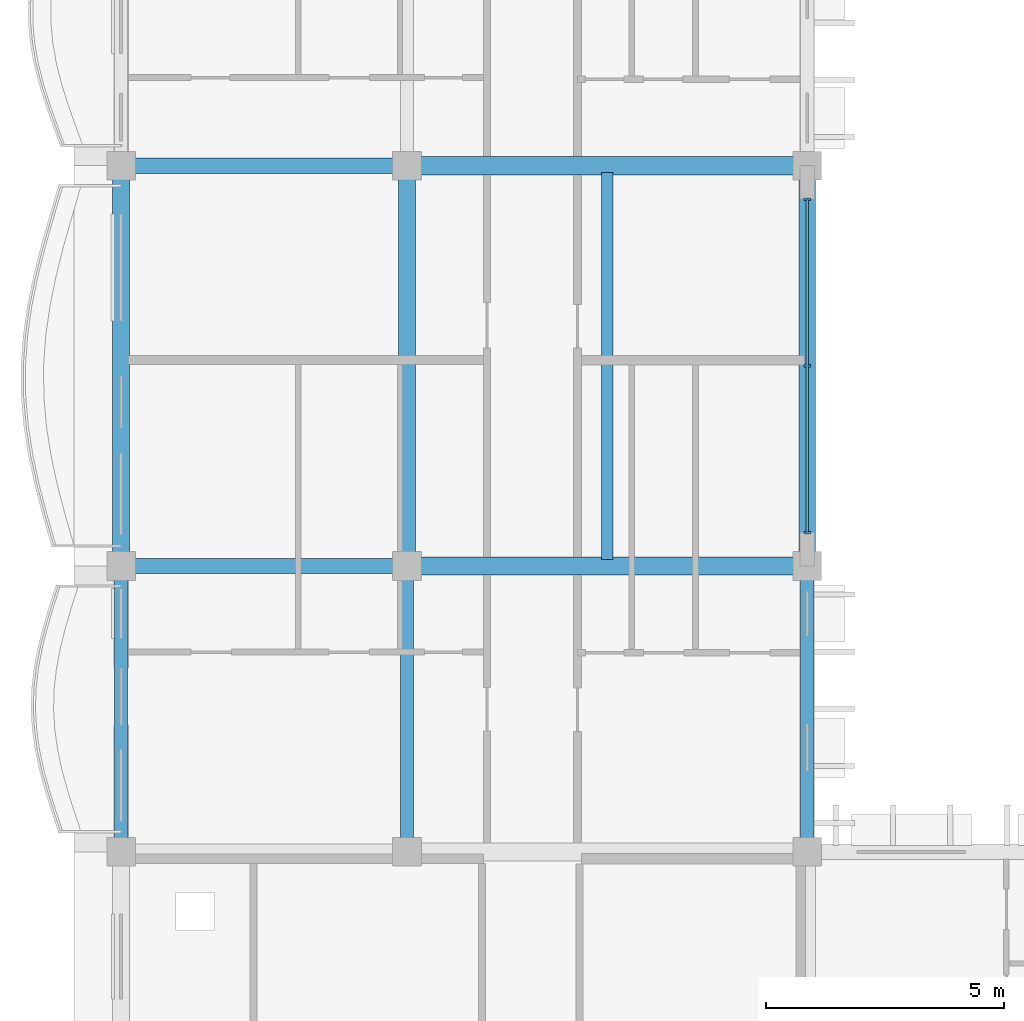
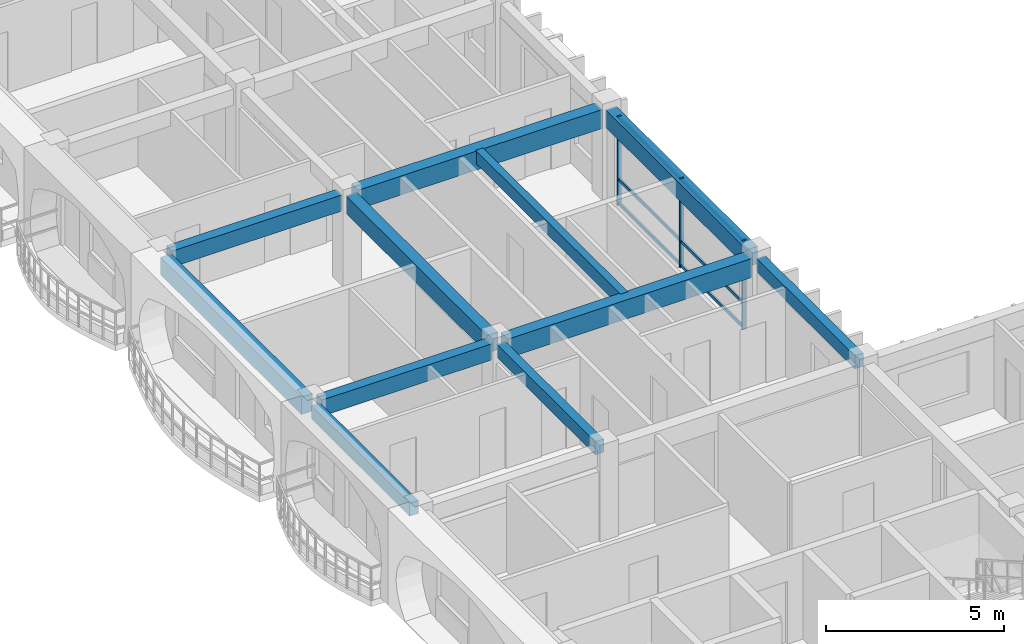
# One storey, part 4 of 76: 11 beams, 6 members, 1 element without a shape of its own.
"""IFC4 building model written with IfcOpenShell, lengths in metres."""

from ifc_helpers import new_model, si_unit, direction, frame, origin, origin_2d, place, context, subcontext, project, spatial, rectangle, extrude, material, material_profile, profile_set, type_object, element, aggregate, save


model = new_model("IFC4")

# Units and contexts
model_context = context("Model", 3, precision=1e-05, world=origin(), true_north=direction((0.0, 1.0)))
body_context = subcontext(model_context, "Body", "Model", "MODEL_VIEW")
ifc_project = project(units=[si_unit("LENGTHUNIT", "METRE"), si_unit("AREAUNIT", "SQUARE_METRE"), si_unit("VOLUMEUNIT", "CUBIC_METRE"), si_unit("PLANEANGLEUNIT", "RADIAN"), si_unit("MASSUNIT", "GRAM", prefix="KILO"), si_unit("THERMODYNAMICTEMPERATUREUNIT", "KELVIN")], contexts=[model_context])

# Site, building, storey
site_placement = place(None, origin())
site = spatial("IfcSite", under=ifc_project, at=site_placement, CompositionType="ELEMENT")
building_placement = place(site_placement, origin())
building = spatial("IfcBuilding", under=site, at=building_placement, Name="Thalorik Housing Commons", CompositionType="ELEMENT")
storey_placement = place(building_placement, frame((0.0, 0.0, 18.0)))
storey = spatial("IfcBuildingStorey", under=building, at=storey_placement, Name="L05", CompositionType="ELEMENT", Elevation=18.0)

# Curtain wall, members
ifc_material_1 = material(Name="Anodised aluminium and solar-control low-E glass", Category="aluminium")
curtain_wall_type = type_object("IfcCurtainWallType", Name="ARC-CW-LOUNGE", PredefinedType="USERDEFINED", material=ifc_material_1)
curtain_wall_placement = place(storey_placement, origin())
curtain_wall = element("IfcCurtainWall", 1, at=curtain_wall_placement, inside=storey, type_object=curtain_wall_type, Name="L05 Curtain Wall CW-RES-L05-C-146", ObjectType="CURTAIN WALL", PredefinedType="USERDEFINED")
ifc_material_2 = material(Name="Anodised aluminium 6063-T6", Category="aluminium")
ifc_material_profile_1 = material_profile(ifc_material_2, rectangle(XDim=0.054931640625, YDim=0.139892578125, at=origin_2d()), Name="ALU MUL 55x140", Category="aluminium")
ifc_profile_set_1 = profile_set([ifc_material_profile_1], Name="Anodised aluminium 6063-T6")
member_type_1 = type_object("IfcMemberType", Name="ARC-CW-MUL-55x140", PredefinedType="MULLION", material=ifc_profile_set_1)
member_1_placement = place(storey_placement, frame((22.800048828125, 29.5, 0.0), z_axis=(0.0, 0.0, 1.0), x_axis=(0.0, 1.0, 0.0)))
member_1 = element("IfcMember", 2, at=member_1_placement, type_object=member_type_1, Name="CW-RES-L05-C-146 Mullion 1", PredefinedType="MULLION", context=body_context, shape_type="SweptSolid", body=[
    extrude(rectangle(XDim=0.054931640625, YDim=0.139892578125, at=origin_2d()), origin(), (0.0, 0.0, 1.0), 3.0400390625),
])
member_2_placement = place(storey_placement, frame((22.800048828125, 33.0, 0.0), z_axis=(0.0, 0.0, 1.0), x_axis=(0.0, 1.0, 0.0)))
member_2 = element("IfcMember", 3, at=member_2_placement, type_object=member_type_1, Name="CW-RES-L05-C-146 Mullion 2", PredefinedType="MULLION", context=body_context, shape_type="SweptSolid", body=[
    extrude(rectangle(XDim=0.054931640625, YDim=0.139892578125, at=origin_2d()), origin(), (0.0, 0.0, 1.0), 3.0400390625),
])
member_3_placement = place(storey_placement, frame((22.800048828125, 36.5, 0.0), z_axis=(0.0, 0.0, 1.0), x_axis=(0.0, 1.0, 0.0)))
member_3 = element("IfcMember", 4, at=member_3_placement, type_object=member_type_1, Name="CW-RES-L05-C-146 Mullion 3", PredefinedType="MULLION", context=body_context, shape_type="SweptSolid", body=[
    extrude(rectangle(XDim=0.054931640625, YDim=0.139892578125, at=origin_2d()), origin(), (0.0, 0.0, 1.0), 3.0400390625),
])
ifc_material_profile_2 = material_profile(ifc_material_2, rectangle(XDim=0.054931640625, YDim=0.10498046875, at=origin_2d()), Name="ALU TRN 55x105", Category="aluminium")
ifc_profile_set_2 = profile_set([ifc_material_profile_2], Name="Anodised aluminium 6063-T6")
member_type_2 = type_object("IfcMemberType", Name="ARC-CW-TRN-55x105", PredefinedType="USERDEFINED", material=ifc_profile_set_2)
member_4_placement = place(storey_placement, frame((22.800048828125, 29.5, 0.054931640625), z_axis=(0.0, 1.0, 0.0), x_axis=(-1.0, 0.0, 0.0)))
member_4 = element("IfcMember", 5, at=member_4_placement, type_object=member_type_2, Name="CW-RES-L05-C-146 Transom 1", ObjectType="TRANSOM", PredefinedType="USERDEFINED", context=body_context, shape_type="SweptSolid", body=[
    extrude(rectangle(XDim=0.054931640625, YDim=0.10498046875, at=origin_2d()), origin(), (0.0, 0.0, 1.0), 7.0),
])
member_5_placement = place(storey_placement, frame((22.800048828125, 29.5, 0.8798828125), z_axis=(0.0, 1.0, 0.0), x_axis=(-1.0, 0.0, 0.0)))
member_5 = element("IfcMember", 6, at=member_5_placement, type_object=member_type_2, Name="CW-RES-L05-C-146 Transom 2", ObjectType="TRANSOM", PredefinedType="USERDEFINED", context=body_context, shape_type="SweptSolid", body=[
    extrude(rectangle(XDim=0.054931640625, YDim=0.10498046875, at=origin_2d()), origin(), (0.0, 0.0, 1.0), 7.0),
])
member_6_placement = place(storey_placement, frame((22.800048828125, 29.5, 2.985107421875), z_axis=(0.0, 1.0, 0.0), x_axis=(-1.0, 0.0, 0.0)))
member_6 = element("IfcMember", 7, at=member_6_placement, type_object=member_type_2, Name="CW-RES-L05-C-146 Transom 3", ObjectType="TRANSOM", PredefinedType="USERDEFINED", context=body_context, shape_type="SweptSolid", body=[
    extrude(rectangle(XDim=0.054931640625, YDim=0.10498046875, at=origin_2d()), origin(), (0.0, 0.0, 1.0), 7.0),
])
aggregate(curtain_wall, [member_1, member_2, member_3, member_4, member_5, member_6])

# Beams
ifc_material_3 = material(Name="Precast concrete C40/50", Category="concrete")
ifc_material_profile_3 = material_profile(ifc_material_3, rectangle(XDim=0.280029296875, YDim=0.449951171875, at=origin_2d()), Name="PC 280x450", Category="concrete")
ifc_profile_set_3 = profile_set([ifc_material_profile_3], Name="Precast concrete C40/50")
beam_type_1 = type_object("IfcBeamType", Name="STR-BM-PC280x450", PredefinedType="BEAM", material=ifc_profile_set_3)
for number, where, z_axis, x_axis, name in (
    (8, (8.39990234375, 23.050048828125, 2.81494140625), (0.0, 1.0, 0.0), (-1.0, 0.0, 0.0), "L05 Beam B-450"),
    (9, (14.39990234375, 23.050048828125, 2.81494140625), (0.0, 1.0, 0.0), (-1.0, 0.0, 0.0), "L05 Beam B-450"),
    (10, (22.800048828125, 23.050048828125, 2.81494140625), (0.0, 1.0, 0.0), (-1.0, 0.0, 0.0), "L05 Beam B-450"),
):
    element("IfcBeam", number, at=place(storey_placement, frame(where, z_axis=z_axis, x_axis=x_axis)), inside=storey, type_object=beam_type_1, Name=name, PredefinedType="BEAM", context=body_context, shape_type="SweptSolid", body=[
        extrude(rectangle(XDim=0.280029296875, YDim=0.449951171875, at=origin_2d()), origin(), (0.0, 0.0, 1.0), 5.5),
    ])
ifc_material_profile_4 = material_profile(ifc_material_3, rectangle(XDim=0.320068359375, YDim=0.550048828125, at=origin_2d()), Name="PC 320x550", Category="concrete")
ifc_profile_set_4 = profile_set([ifc_material_profile_4], Name="Precast concrete C40/50")
beam_type_2 = type_object("IfcBeamType", Name="STR-BM-PC320x550", PredefinedType="BEAM", material=ifc_profile_set_4)
for number, where, z_axis, x_axis, name in (
    (11, (8.64990234375, 28.800048828125, 2.764892578125), (1.0, 0.0, 0.0), (0.0, 1.0, 0.0), "L05 Beam B-550"),
    (12, (8.64990234375, 37.199951171875, 2.764892578125), (1.0, 0.0, 0.0), (0.0, 1.0, 0.0), "L05 Beam B-550"),
):
    element("IfcBeam", number, at=place(storey_placement, frame(where, z_axis=z_axis, x_axis=x_axis)), inside=storey, type_object=beam_type_2, Name=name, PredefinedType="BEAM", context=body_context, shape_type="SweptSolid", body=[
        extrude(rectangle(XDim=0.320068359375, YDim=0.550048828125, at=origin_2d()), origin(), (0.0, 0.0, 1.0), 5.5),
    ])
ifc_material_profile_5 = material_profile(ifc_material_3, rectangle(XDim=0.35009765625, YDim=0.60009765625, at=origin_2d()), Name="PC 350x600", Category="concrete")
ifc_profile_set_5 = profile_set([ifc_material_profile_5], Name="Precast concrete C40/50")
beam_type_3 = type_object("IfcBeamType", Name="STR-BM-PC350x600", PredefinedType="BEAM", material=ifc_profile_set_5)
for number, where, z_axis, x_axis, name in (
    (13, (8.39990234375, 29.050048828125, 2.739990234375), (0.0, 1.0, 0.0), (-1.0, 0.0, 0.0), "L05 Beam B-600"),
    (14, (14.39990234375, 29.050048828125, 2.739990234375), (0.0, 1.0, 0.0), (-1.0, 0.0, 0.0), "L05 Beam B-600"),
    (15, (22.800048828125, 29.050048828125, 2.739990234375), (0.0, 1.0, 0.0), (-1.0, 0.0, 0.0), "L05 Beam B-600"),
):
    element("IfcBeam", number, at=place(storey_placement, frame(where, z_axis=z_axis, x_axis=x_axis)), inside=storey, type_object=beam_type_3, Name=name, PredefinedType="BEAM", context=body_context, shape_type="SweptSolid", body=[
        extrude(rectangle(XDim=0.35009765625, YDim=0.60009765625, at=origin_2d()), origin(), (0.0, 0.0, 1.0), 7.89990234375),
    ])
ifc_material_profile_6 = material_profile(ifc_material_3, rectangle(XDim=0.3798828125, YDim=0.64990234375, at=origin_2d()), Name="PC 380x650", Category="concrete")
ifc_profile_set_6 = profile_set([ifc_material_profile_6], Name="Precast concrete C40/50")
beam_type_4 = type_object("IfcBeamType", Name="STR-BM-PC380x650", PredefinedType="BEAM", material=ifc_profile_set_6)
for number, where, z_axis, x_axis, name in (
    (16, (14.64990234375, 28.800048828125, 2.715087890625), (1.0, 0.0, 0.0), (0.0, 1.0, 0.0), "L05 Beam B-650"),
    (17, (14.64990234375, 37.199951171875, 2.715087890625), (1.0, 0.0, 0.0), (0.0, 1.0, 0.0), "L05 Beam B-650"),
):
    element("IfcBeam", number, at=place(storey_placement, frame(where, z_axis=z_axis, x_axis=x_axis)), inside=storey, type_object=beam_type_4, Name=name, PredefinedType="BEAM", context=body_context, shape_type="SweptSolid", body=[
        extrude(rectangle(XDim=0.3798828125, YDim=0.64990234375, at=origin_2d()), origin(), (0.0, 0.0, 1.0), 7.900146484375),
    ])
ifc_material_profile_7 = material_profile(ifc_material_3, rectangle(XDim=0.239990234375, YDim=0.43994140625, at=origin_2d()), Name="PC JST 240x440", Category="concrete")
ifc_profile_set_7 = profile_set([ifc_material_profile_7], Name="Precast concrete C40/50")
beam_type_5 = type_object("IfcBeamType", Name="STR-JST-PC240x440", PredefinedType="JOIST", material=ifc_profile_set_7)
beam_placement = place(storey_placement, frame((18.60009765625, 28.93994140625, 2.820068359375), z_axis=(0.0, 1.0, 0.0), x_axis=(-1.0, 0.0, 0.0)))
element("IfcBeam", 18, at=beam_placement, inside=storey, type_object=beam_type_5, Name="L05 Beam J-440", PredefinedType="JOIST", context=body_context, shape_type="SweptSolid", body=[
    extrude(rectangle(XDim=0.239990234375, YDim=0.43994140625, at=origin_2d()), origin(), (0.0, 0.0, 1.0), 8.1201171875),
])

save(model, "model.ifc")
